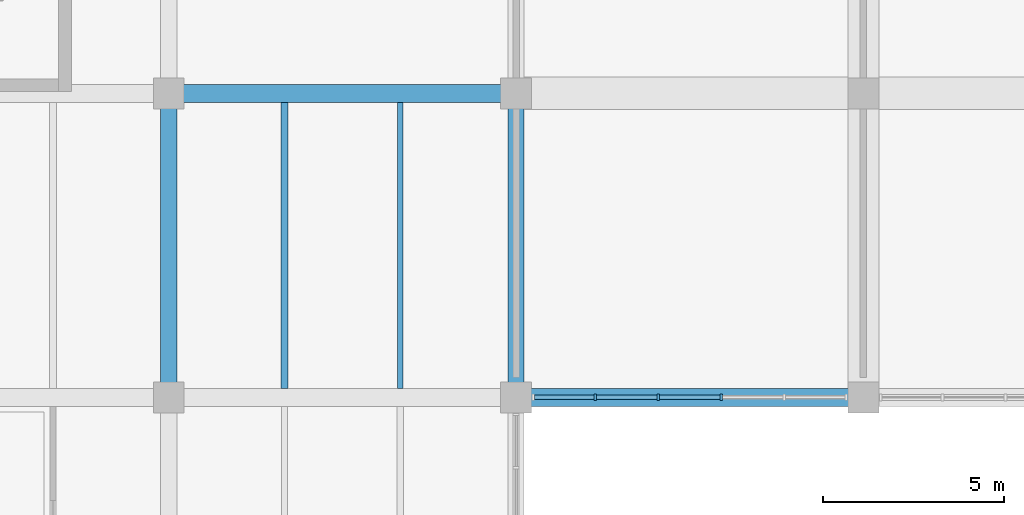
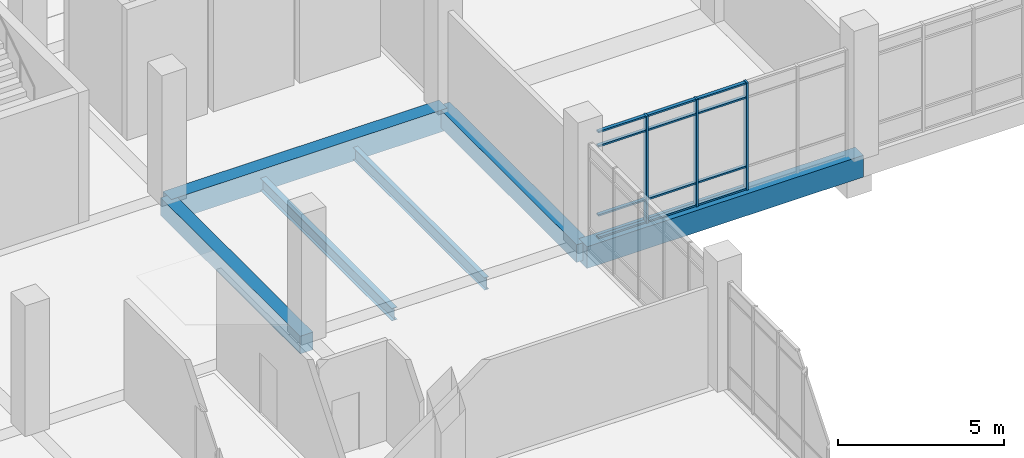
# One storey, part 29 of 152: 15 members, 6 beams, 1 element without a shape of its own.
"""IFC4 building model written with IfcOpenShell, lengths in metres."""

import ifcopenshell
import ifcopenshell.guid

model = None  # the IFC model being written
_history = None  # IfcOwnerHistory: only IFC2X3 demands one
_inside = {}  # id of a spatial element -> (the spatial element, [elements in it])
_under = {}  # id of a project, library or spatial element -> (it, [spatial elements below it])
_declared = {}  # id of a project -> (the project, [libraries it declares])
_typed = {}  # id of a type object -> (the type object, [elements of that type])
_made_of = {}  # id of a material, layer set ... -> (it, [elements and type objects made of it])


def new_model(schema):
    """Start an empty IFC model of exactly this schema.

    Asked for "IFC4X3", IfcOpenShell would pick the latest addendum, in which some entities
    have other attributes; the version numbers below select the first issue.
    IFC2X3 requires an IfcOwnerHistory on every rooted entity: one is made here for all.
    """
    global model, _history
    if schema == "IFC4X3":
        model = ifcopenshell.file(schema_version=(4, 3, 0, 0))
    else:
        model = ifcopenshell.file(schema=schema)
    _inside.clear()
    _under.clear()
    _declared.clear()
    _typed.clear()
    _made_of.clear()
    _history = None
    if model.schema == "IFC2X3":
        org = make("IfcOrganization", Name="unknown")
        user = make(
            "IfcPersonAndOrganization",
            ThePerson=make("IfcPerson", FamilyName="unknown"),
            TheOrganization=org,
        )
        app = make(
            "IfcApplication",
            ApplicationDeveloper=org,
            Version="unknown",
            ApplicationFullName="unknown",
            ApplicationIdentifier="unknown",
        )
        _history = make(
            "IfcOwnerHistory",
            OwningUser=user,
            OwningApplication=app,
            ChangeAction="ADDED",
            CreationDate=0,
        )
    return model


def make(cls, **values):
    """One entity of the class cls with the attributes given. An attribute that is None is left unset."""
    return model.create_entity(
        cls, **{name: value for name, value in values.items() if value is not None}
    )


def rooted(cls, **values):
    """An entity with a GlobalId (a new one), such as an element, a storey or a relation."""
    return make(cls, GlobalId=ifcopenshell.guid.new(), OwnerHistory=_history, **values)


def si_unit(unit_type, name, prefix=None):
    """IfcSIUnit, for example si_unit("LENGTHUNIT", "METRE", prefix="MILLI")."""
    return make("IfcSIUnit", UnitType=unit_type, Prefix=prefix, Name=name)


def assignment(units):
    """IfcUnitAssignment: the units of a project."""
    return None if units is None else make("IfcUnitAssignment", Units=units)


def point(xyz):
    """IfcCartesianPoint."""
    return None if xyz is None else make("IfcCartesianPoint", Coordinates=xyz)


def direction(xyz):
    """IfcDirection."""
    return None if xyz is None else make("IfcDirection", DirectionRatios=xyz)


def frame(location, z_axis=None, x_axis=None):
    """IfcAxis2Placement3D, a coordinate frame: its origin and axes. An axis left out is left unset."""
    return make(
        "IfcAxis2Placement3D",
        Location=point(location),
        Axis=direction(z_axis),
        RefDirection=direction(x_axis),
    )


def frame_2d(location, x_axis=None):
    """IfcAxis2Placement2D, a coordinate frame in the plane: its origin and x axis."""
    return make(
        "IfcAxis2Placement2D", Location=point(location), RefDirection=direction(x_axis)
    )


def origin():
    """The frame at (0, 0, 0) with its axes left unset."""
    return frame((0.0, 0.0, 0.0))


def origin_2d():
    """The frame at (0, 0) in the plane with its x axis left unset."""
    return frame_2d((0.0, 0.0))


def place(relative_to, where):
    """IfcLocalPlacement: puts the frame where relative to a parent placement (None: the world)."""
    return make(
        "IfcLocalPlacement", PlacementRelTo=relative_to, RelativePlacement=where
    )


def context(
    kind, dimensions, precision=None, world=None, true_north=None, identifier=None
):
    """IfcGeometricRepresentationContext, for example the 3D "Model" context."""
    return make(
        "IfcGeometricRepresentationContext",
        ContextIdentifier=identifier,
        ContextType=kind,
        CoordinateSpaceDimension=dimensions,
        Precision=precision,
        WorldCoordinateSystem=world,
        TrueNorth=true_north,
    )


def subcontext(parent, identifier, kind, view, scale=None):
    """IfcGeometricRepresentationSubContext, for example "Body" below "Model"."""
    return make(
        "IfcGeometricRepresentationSubContext",
        ContextIdentifier=identifier,
        ContextType=kind,
        ParentContext=parent,
        TargetScale=scale,
        TargetView=view,
    )


def project(units=None, contexts=None):
    """IfcProject with its units and contexts."""
    return rooted(
        "IfcProject",
        Name="project",
        RepresentationContexts=contexts,
        UnitsInContext=assignment(units),
    )


def spatial(cls, under=None, at=None, **own):
    """A site, building, storey or space (cls), placed at a placement, below another one or the project."""
    s = rooted(cls, ObjectPlacement=at, **own)
    if under is not None:
        _under.setdefault(under.id(), (under, []))[1].append(s)
    return s


def profile(cls, at=None, kind="AREA", **sizes):
    """A parametric profile (cls). Its sizes go by their IFC names, for example OverallWidth=200.0."""
    return make(cls, ProfileType=kind, Position=at, **sizes)


def rectangle(**sizes):
    """IfcRectangleProfileDef."""
    return profile("IfcRectangleProfileDef", **sizes)


def i_section(**sizes):
    """IfcIShapeProfileDef."""
    return profile("IfcIShapeProfileDef", **sizes)


def extrude(swept, where, along, depth):
    """IfcExtrudedAreaSolid: the profile swept, set in the frame where, extruded along a direction by depth."""
    return make(
        "IfcExtrudedAreaSolid",
        SweptArea=swept,
        Position=where,
        ExtrudedDirection=direction(along),
        Depth=depth,
    )


def shape(context_of_items, identifier, shape_type, items):
    """IfcShapeRepresentation: the items that make up one representation, for example the "Body"."""
    return make(
        "IfcShapeRepresentation",
        ContextOfItems=context_of_items,
        RepresentationIdentifier=identifier,
        RepresentationType=shape_type,
        Items=items,
    )


def material(Name=None, Category=None):
    """IfcMaterial."""
    return make("IfcMaterial", Name=Name, Category=Category)


def material_profile(
    of_material, cross_section, Name=None, Category=None, Priority=None
):
    """IfcMaterialProfile: a cross section and its material."""
    return make(
        "IfcMaterialProfile",
        Name=Name,
        Material=of_material,
        Profile=cross_section,
        Priority=Priority,
        Category=Category,
    )


def profile_set(profiles, Name=None, composite=None):
    """IfcMaterialProfileSet."""
    return make(
        "IfcMaterialProfileSet",
        Name=Name,
        MaterialProfiles=profiles,
        CompositeProfile=composite,
    )


def made_of(thing, what):
    """Note that an element or type object is made of a material, layer set ...; save() writes the relation."""
    if what is not None:
        _made_of.setdefault(what.id(), (what, []))[1].append(thing)
    return thing


def type_object(cls, material=None, **own):
    """A type object (cls), such as IfcWallType, which elements share."""
    return made_of(rooted(cls, **own), material)


def element(
    cls,
    number,
    at=None,
    inside=None,
    cuts=None,
    type_object=None,
    material=None,
    context=None,
    identifier="Body",
    shape_type=None,
    held_by="IfcProductDefinitionShape",
    body=None,
    shapes=None,
    **own,
):
    """One element of the class cls, such as IfcWall. Its Tag is "e" and its number.

    at: its placement. inside: the storey or other place that contains it. cuts: it is an
    opening in that element (IfcRelVoidsElement). A single representation is given by context,
    identifier, shape_type and body (its items); several are given by shapes. held_by: the class
    of the entity that holds the representations. save() writes the other relations.
    """
    e = rooted(cls, Tag="e%d" % number, ObjectPlacement=at, **own)
    if body is not None:
        shapes = [shape(context, identifier, shape_type, body)]
    if shapes is not None:
        e.Representation = make(held_by, Representations=shapes)
    if inside is not None:
        _inside.setdefault(inside.id(), (inside, []))[1].append(e)
    if cuts is not None:
        rooted(
            "IfcRelVoidsElement", RelatingBuildingElement=cuts, RelatedOpeningElement=e
        )
    if type_object is not None:
        _typed.setdefault(type_object.id(), (type_object, []))[1].append(e)
    return made_of(e, material)


def aggregate(whole, parts):
    """IfcRelAggregates: a whole, such as a stair, and the parts it consists of."""
    return rooted("IfcRelAggregates", RelatingObject=whole, RelatedObjects=parts)


def save(model, path):
    """Write the relations noted so far, then the file.

    IfcRelAggregates (storeys below a building ...), IfcRelContainedInSpatialStructure (elements
    in a storey), IfcRelDefinesByType, IfcRelAssociatesMaterial and IfcRelDeclares: one each for
    every whole, place, type object, material and project.
    """
    for whole, parts in _under.values():
        aggregate(whole, parts)
    for where, things in _inside.values():
        rooted(
            "IfcRelContainedInSpatialStructure",
            RelatedElements=things,
            RelatingStructure=where,
        )
    for kind, things in _typed.values():
        rooted("IfcRelDefinesByType", RelatedObjects=things, RelatingType=kind)
    for what, things in _made_of.values():
        rooted("IfcRelAssociatesMaterial", RelatedObjects=things, RelatingMaterial=what)
    for by, libraries in _declared.values():
        rooted("IfcRelDeclares", RelatingContext=by, RelatedDefinitions=libraries)
    model.write(path)


model = new_model("IFC4")

# Units and contexts
model_context = context("Model", 3, precision=1e-05, world=origin(), true_north=direction((0.0, 1.0)))
body_context = subcontext(model_context, "Body", "Model", "MODEL_VIEW")
ifc_project = project(units=[si_unit("LENGTHUNIT", "METRE"), si_unit("AREAUNIT", "SQUARE_METRE"), si_unit("VOLUMEUNIT", "CUBIC_METRE"), si_unit("PLANEANGLEUNIT", "RADIAN"), si_unit("MASSUNIT", "GRAM", prefix="KILO")], contexts=[model_context])

# Site, building, storey
site_placement = place(None, origin())
site = spatial("IfcSite", under=ifc_project, at=site_placement, CompositionType="ELEMENT")
building_placement = place(site_placement, origin())
building = spatial("IfcBuilding", under=site, at=building_placement, Name="Oolite Switchyard Hospital", CompositionType="ELEMENT")
storey_placement = place(building_placement, frame((0.0, 0.0, 5.10009765625)))
storey = spatial("IfcBuildingStorey", under=building, at=storey_placement, Name="L01", CompositionType="ELEMENT", Elevation=5.10009765625)

# Beams
ifc_material_1 = material(Name="Concrete C40/50", Category="concrete")
ifc_material_profile_1 = material_profile(ifc_material_1, rectangle(XDim=0.449951171875, YDim=0.64990234375, at=origin_2d()), Name="RCB450X650")
ifc_profile_set_1 = profile_set([ifc_material_profile_1], Name="Concrete C40/50")
beam_type_1 = type_object("IfcBeamType", Name="BM-RC450X650", PredefinedType="BEAM", material=ifc_profile_set_1)
for number, where, z_axis, x_axis, name in (
    (1, (48.0, 84.0, -0.3251953125), (0.0, 1.0, 0.0), (-1.0, 0.0, 0.0), "L01 Y-Girder 376"),
    (2, (57.60009765625, 84.0, -0.3251953125), (0.0, 1.0, 0.0), (-1.0, 0.0, 0.0), "L01 Y-Girder 391"),
):
    element("IfcBeam", number, at=place(storey_placement, frame(where, z_axis=z_axis, x_axis=x_axis)), inside=storey, type_object=beam_type_1, Name=name, PredefinedType="BEAM", context=body_context, shape_type="SweptSolid", body=[
        extrude(rectangle(XDim=0.449951171875, YDim=0.64990234375, at=origin_2d()), origin(), (0.0, 0.0, 1.0), 8.39990234375),
    ])
ifc_material_profile_2 = material_profile(ifc_material_1, rectangle(XDim=0.5, YDim=0.800048828125, at=origin_2d()), Name="RCB500X800")
ifc_profile_set_2 = profile_set([ifc_material_profile_2], Name="Concrete C40/50")
beam_type_2 = type_object("IfcBeamType", Name="BM-RC500X800", PredefinedType="BEAM", material=ifc_profile_set_2)
beam_1_placement = place(storey_placement, frame((57.60009765625, 84.0, -0.400146484375), z_axis=(1.0, 0.0, 0.0), x_axis=(0.0, 1.0, 0.0)))
element("IfcBeam", 3, at=beam_1_placement, inside=storey, type_object=beam_type_2, Name="L01 X-Girder 169", PredefinedType="BEAM", context=body_context, shape_type="SweptSolid", body=[
    extrude(rectangle(XDim=0.5, YDim=0.800048828125, at=origin_2d()), origin(), (0.0, 0.0, 1.0), 9.599853515625),
])
beam_2_placement = place(storey_placement, frame((48.0, 92.39990234375, -0.400146484375), z_axis=(1.0, 0.0, 0.0), x_axis=(0.0, 1.0, 0.0)))
element("IfcBeam", 4, at=beam_2_placement, inside=storey, type_object=beam_type_2, Name="L01 X-Girder 186", PredefinedType="BEAM", context=body_context, shape_type="SweptSolid", body=[
    extrude(rectangle(XDim=0.5, YDim=0.800048828125, at=origin_2d()), origin(), (0.0, 0.0, 1.0), 9.60009765625),
])
ifc_material_2 = material(Name="Steel ASTM A992 Grade 50", Category="steel")
ifc_material_profile_3 = material_profile(ifc_material_2, i_section(OverallWidth=0.153076171875, OverallDepth=0.455078125, WebThickness=0.008056640625, FlangeThickness=0.012939453125, at=origin_2d()), Name="W18X40")
ifc_profile_set_3 = profile_set([ifc_material_profile_3], Name="Steel ASTM A992 Grade 50")
beam_type_3 = type_object("IfcBeamType", Name="BM-W18X40", PredefinedType="JOIST", material=ifc_profile_set_3)
beam_3_placement = place(storey_placement, frame((54.39990234375, 84.25, -0.528076171875), z_axis=(0.0, 1.0, 0.0), x_axis=(-1.0, 0.0, 0.0)))
element("IfcBeam", 5, at=beam_3_placement, inside=storey, type_object=beam_type_3, Name="L01 Secondary Steel Joist 729", PredefinedType="JOIST", context=body_context, shape_type="SweptSolid", body=[
    extrude(i_section(OverallWidth=0.153076171875, OverallDepth=0.455078125, WebThickness=0.008056640625, FlangeThickness=0.012939453125, at=origin_2d()), origin(), (0.0, 0.0, 1.0), 7.89990234375),
])
ifc_material_profile_4 = material_profile(ifc_material_2, i_section(OverallWidth=0.19091796875, OverallDepth=0.4599609375, WebThickness=0.010009765625, FlangeThickness=0.01611328125, at=origin_2d()), Name="W18X55")
ifc_profile_set_4 = profile_set([ifc_material_profile_4], Name="Steel ASTM A992 Grade 50")
beam_type_4 = type_object("IfcBeamType", Name="BM-W18X55", PredefinedType="JOIST", material=ifc_profile_set_4)
beam_4_placement = place(storey_placement, frame((51.199951171875, 84.25, -0.530029296875), z_axis=(0.0, 1.0, 0.0), x_axis=(-1.0, 0.0, 0.0)))
element("IfcBeam", 6, at=beam_4_placement, inside=storey, type_object=beam_type_4, Name="L01 Secondary Steel Joist 728", PredefinedType="JOIST", context=body_context, shape_type="SweptSolid", body=[
    extrude(i_section(OverallWidth=0.19091796875, OverallDepth=0.4599609375, WebThickness=0.010009765625, FlangeThickness=0.01611328125, at=origin_2d()), origin(), (0.0, 0.0, 1.0), 7.89990234375),
])

# Curtain wall, members
ifc_material_3 = material(Name="Thermally broken aluminum frame with laminated impact glazing", Category="aluminium")
curtain_wall_type = type_object("IfcCurtainWallType", Name="CW-UNIT-96X48", PredefinedType="USERDEFINED", material=ifc_material_3)
curtain_wall_placement = place(storey_placement, origin())
curtain_wall = element("IfcCurtainWall", 7, at=curtain_wall_placement, inside=storey, type_object=curtain_wall_type, Name="L01 Unitised Curtain Wall 138", ObjectType="UNITISED", PredefinedType="USERDEFINED")
ifc_material_4 = material(Name="Aluminium 6063-T6", Category="aluminium")
ifc_material_profile_5 = material_profile(ifc_material_4, rectangle(XDim=0.179931640625, YDim=0.070068359375, at=origin_2d()), Name="CWM70X180")
ifc_profile_set_5 = profile_set([ifc_material_profile_5], Name="Aluminium 6063-T6")
member_type_1 = type_object("IfcMemberType", Name="CW-MUL-220", PredefinedType="MULLION", material=ifc_profile_set_5)
member_1_placement = place(storey_placement, frame((63.27197265625, 84.0, 0.0), z_axis=(0.0, 0.0, 1.0), x_axis=(0.0, -1.0, 0.0)))
member_1 = element("IfcMember", 8, at=member_1_placement, type_object=member_type_1, Name="CW-02 mullion 3", PredefinedType="MULLION", context=body_context, shape_type="SweptSolid", body=[
    extrude(rectangle(XDim=0.179931640625, YDim=0.070068359375, at=origin_2d()), origin(), (0.0, 0.0, 1.0), 3.93994140625),
])
member_2_placement = place(storey_placement, frame((61.528076171875, 84.0, 0.0), z_axis=(0.0, 0.0, 1.0), x_axis=(0.0, -1.0, 0.0)))
member_2 = element("IfcMember", 9, at=member_2_placement, type_object=member_type_1, Name="CW-02 mullion 4", PredefinedType="MULLION", context=body_context, shape_type="SweptSolid", body=[
    extrude(rectangle(XDim=0.179931640625, YDim=0.070068359375, at=origin_2d()), origin(), (0.0, 0.0, 1.0), 3.93994140625),
])
member_3_placement = place(storey_placement, frame((59.783935546875, 84.0, 0.0), z_axis=(0.0, 0.0, 1.0), x_axis=(0.0, -1.0, 0.0)))
member_3 = element("IfcMember", 10, at=member_3_placement, type_object=member_type_1, Name="CW-02 mullion 5", PredefinedType="MULLION", context=body_context, shape_type="SweptSolid", body=[
    extrude(rectangle(XDim=0.179931640625, YDim=0.070068359375, at=origin_2d()), origin(), (0.0, 0.0, 1.0), 3.93994140625),
])
ifc_material_profile_6 = material_profile(ifc_material_4, rectangle(XDim=0.1201171875, YDim=0.06005859375, at=origin_2d()), Name="CWT60X120")
ifc_profile_set_6 = profile_set([ifc_material_profile_6], Name="Aluminium 6063-T6")
member_type_2 = type_object("IfcMemberType", Name="CW-TRN-150", PredefinedType="USERDEFINED", material=ifc_profile_set_6)
member_4_placement = place(storey_placement, frame((63.237060546875, 84.0, 0.02978515625), z_axis=(-1.0, 0.0, 0.0), x_axis=(0.0, -1.0, 0.0)))
member_4 = element("IfcMember", 11, at=member_4_placement, type_object=member_type_2, Name="CW-02 transom 3.1", ObjectType="TRANSOM", PredefinedType="USERDEFINED", context=body_context, shape_type="SweptSolid", body=[
    extrude(rectangle(XDim=0.1201171875, YDim=0.06005859375, at=origin_2d()), origin(), (0.0, 0.0, 1.0), 1.674072265625),
])
member_5_placement = place(storey_placement, frame((63.237060546875, 84.0, 0.849853515625), z_axis=(-1.0, 0.0, 0.0), x_axis=(0.0, -1.0, 0.0)))
member_5 = element("IfcMember", 12, at=member_5_placement, type_object=member_type_2, Name="CW-02 transom 3.2", ObjectType="TRANSOM", PredefinedType="USERDEFINED", context=body_context, shape_type="SweptSolid", body=[
    extrude(rectangle(XDim=0.1201171875, YDim=0.06005859375, at=origin_2d()), origin(), (0.0, 0.0, 1.0), 1.674072265625),
])
member_6_placement = place(storey_placement, frame((63.237060546875, 84.0, 3.389892578125), z_axis=(-1.0, 0.0, 0.0), x_axis=(0.0, -1.0, 0.0)))
member_6 = element("IfcMember", 13, at=member_6_placement, type_object=member_type_2, Name="CW-02 transom 3.3", ObjectType="TRANSOM", PredefinedType="USERDEFINED", context=body_context, shape_type="SweptSolid", body=[
    extrude(rectangle(XDim=0.1201171875, YDim=0.06005859375, at=origin_2d()), origin(), (0.0, 0.0, 1.0), 1.674072265625),
])
member_7_placement = place(storey_placement, frame((63.237060546875, 84.0, 3.909912109375), z_axis=(-1.0, 0.0, 0.0), x_axis=(0.0, -1.0, 0.0)))
member_7 = element("IfcMember", 14, at=member_7_placement, type_object=member_type_2, Name="CW-02 transom 3.4", ObjectType="TRANSOM", PredefinedType="USERDEFINED", context=body_context, shape_type="SweptSolid", body=[
    extrude(rectangle(XDim=0.1201171875, YDim=0.06005859375, at=origin_2d()), origin(), (0.0, 0.0, 1.0), 1.674072265625),
])
member_8_placement = place(storey_placement, frame((61.492919921875, 84.0, 0.02978515625), z_axis=(-1.0, 0.0, 0.0), x_axis=(0.0, -1.0, 0.0)))
member_8 = element("IfcMember", 15, at=member_8_placement, type_object=member_type_2, Name="CW-02 transom 4.1", ObjectType="TRANSOM", PredefinedType="USERDEFINED", context=body_context, shape_type="SweptSolid", body=[
    extrude(rectangle(XDim=0.1201171875, YDim=0.06005859375, at=origin_2d()), origin(), (0.0, 0.0, 1.0), 1.673828125),
])
member_9_placement = place(storey_placement, frame((61.492919921875, 84.0, 0.849853515625), z_axis=(-1.0, 0.0, 0.0), x_axis=(0.0, -1.0, 0.0)))
member_9 = element("IfcMember", 16, at=member_9_placement, type_object=member_type_2, Name="CW-02 transom 4.2", ObjectType="TRANSOM", PredefinedType="USERDEFINED", context=body_context, shape_type="SweptSolid", body=[
    extrude(rectangle(XDim=0.1201171875, YDim=0.06005859375, at=origin_2d()), origin(), (0.0, 0.0, 1.0), 1.673828125),
])
member_10_placement = place(storey_placement, frame((61.492919921875, 84.0, 3.389892578125), z_axis=(-1.0, 0.0, 0.0), x_axis=(0.0, -1.0, 0.0)))
member_10 = element("IfcMember", 17, at=member_10_placement, type_object=member_type_2, Name="CW-02 transom 4.3", ObjectType="TRANSOM", PredefinedType="USERDEFINED", context=body_context, shape_type="SweptSolid", body=[
    extrude(rectangle(XDim=0.1201171875, YDim=0.06005859375, at=origin_2d()), origin(), (0.0, 0.0, 1.0), 1.673828125),
])
member_11_placement = place(storey_placement, frame((61.492919921875, 84.0, 3.909912109375), z_axis=(-1.0, 0.0, 0.0), x_axis=(0.0, -1.0, 0.0)))
member_11 = element("IfcMember", 18, at=member_11_placement, type_object=member_type_2, Name="CW-02 transom 4.4", ObjectType="TRANSOM", PredefinedType="USERDEFINED", context=body_context, shape_type="SweptSolid", body=[
    extrude(rectangle(XDim=0.1201171875, YDim=0.06005859375, at=origin_2d()), origin(), (0.0, 0.0, 1.0), 1.673828125),
])
member_12_placement = place(storey_placement, frame((59.7490234375, 84.0, 0.02978515625), z_axis=(-1.0, 0.0, 0.0), x_axis=(0.0, -1.0, 0.0)))
member_12 = element("IfcMember", 19, at=member_12_placement, type_object=member_type_2, Name="CW-02 transom 5.1", ObjectType="TRANSOM", PredefinedType="USERDEFINED", context=body_context, shape_type="SweptSolid", body=[
    extrude(rectangle(XDim=0.1201171875, YDim=0.06005859375, at=origin_2d()), origin(), (0.0, 0.0, 1.0), 1.638916015625),
])
member_13_placement = place(storey_placement, frame((59.7490234375, 84.0, 0.849853515625), z_axis=(-1.0, 0.0, 0.0), x_axis=(0.0, -1.0, 0.0)))
member_13 = element("IfcMember", 20, at=member_13_placement, type_object=member_type_2, Name="CW-02 transom 5.2", ObjectType="TRANSOM", PredefinedType="USERDEFINED", context=body_context, shape_type="SweptSolid", body=[
    extrude(rectangle(XDim=0.1201171875, YDim=0.06005859375, at=origin_2d()), origin(), (0.0, 0.0, 1.0), 1.638916015625),
])
member_14_placement = place(storey_placement, frame((59.7490234375, 84.0, 3.389892578125), z_axis=(-1.0, 0.0, 0.0), x_axis=(0.0, -1.0, 0.0)))
member_14 = element("IfcMember", 21, at=member_14_placement, type_object=member_type_2, Name="CW-02 transom 5.3", ObjectType="TRANSOM", PredefinedType="USERDEFINED", context=body_context, shape_type="SweptSolid", body=[
    extrude(rectangle(XDim=0.1201171875, YDim=0.06005859375, at=origin_2d()), origin(), (0.0, 0.0, 1.0), 1.638916015625),
])
member_15_placement = place(storey_placement, frame((59.7490234375, 84.0, 3.909912109375), z_axis=(-1.0, 0.0, 0.0), x_axis=(0.0, -1.0, 0.0)))
member_15 = element("IfcMember", 22, at=member_15_placement, type_object=member_type_2, Name="CW-02 transom 5.4", ObjectType="TRANSOM", PredefinedType="USERDEFINED", context=body_context, shape_type="SweptSolid", body=[
    extrude(rectangle(XDim=0.1201171875, YDim=0.06005859375, at=origin_2d()), origin(), (0.0, 0.0, 1.0), 1.638916015625),
])
aggregate(curtain_wall, [member_1, member_2, member_3, member_4, member_5, member_6, member_7, member_8, member_9, member_10, member_11, member_12, member_13, member_14, member_15])

save(model, "model.ifc")
